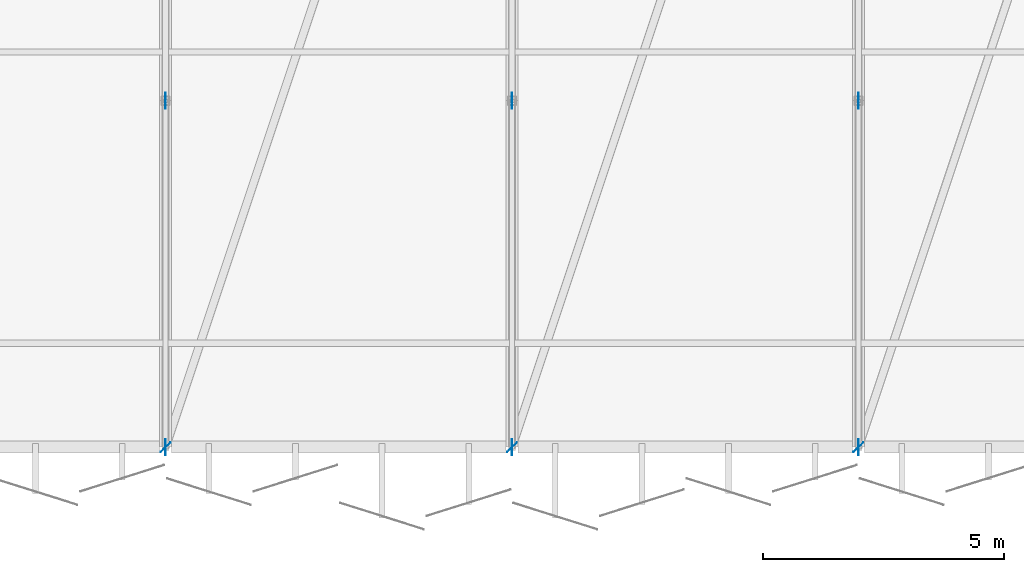
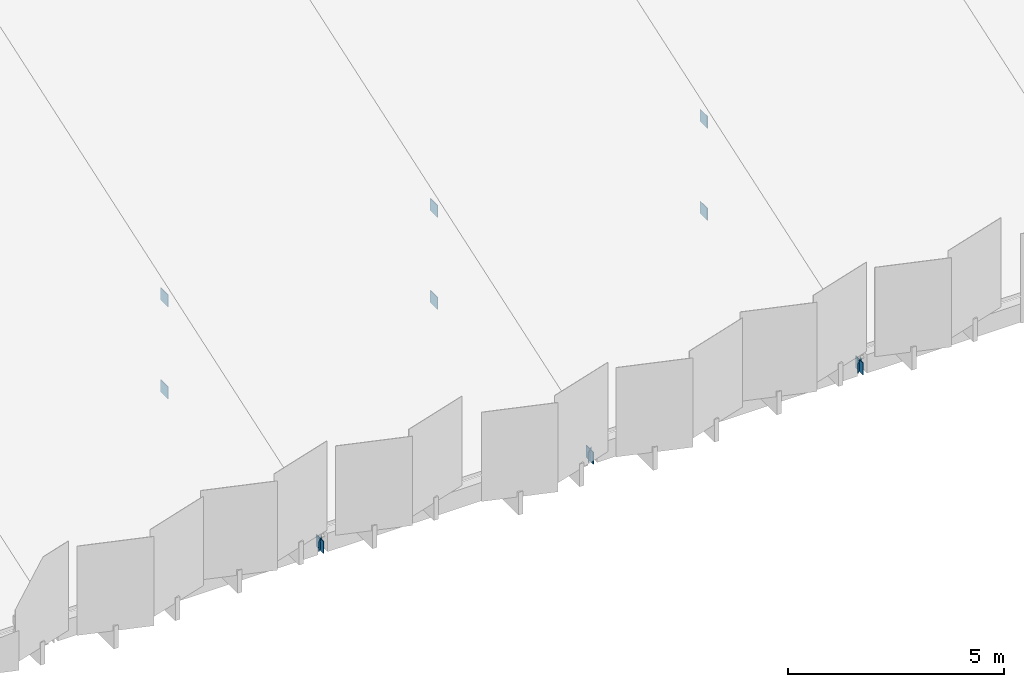
# One storey, part 33 of 59: 12 plates.
"""IFC4 building model written with IfcOpenShell, lengths in metres."""

from ifc_helpers import new_model, si_unit, direction, frame, origin, origin_2d, place, context, subcontext, project, spatial, rectangle, extrude, material, layer, layer_set, type_object, element, save


model = new_model("IFC4")

# Units and contexts
model_context = context("Model", 3, precision=1e-05, world=origin(), true_north=direction((0.0, 1.0)))
body_context = subcontext(model_context, "Body", "Model", "MODEL_VIEW")
ifc_project = project(units=[si_unit("LENGTHUNIT", "METRE"), si_unit("AREAUNIT", "SQUARE_METRE"), si_unit("VOLUMEUNIT", "CUBIC_METRE"), si_unit("PLANEANGLEUNIT", "RADIAN"), si_unit("MASSUNIT", "GRAM", prefix="KILO")], contexts=[model_context])

# Site, building, storey
site_placement = place(None, origin())
site = spatial("IfcSite", under=ifc_project, at=site_placement, CompositionType="ELEMENT")
building_placement = place(site_placement, origin())
building = spatial("IfcBuilding", under=site, at=building_placement, Name="Kangsadwip Square Police Headquarters", CompositionType="ELEMENT")
storey_placement = place(building_placement, frame((0.0, 0.0, 21.60009765625)))
storey = spatial("IfcBuildingStorey", under=building, at=storey_placement, Name="L05", CompositionType="ELEMENT", Elevation=21.60009765625)

# Plates
ifc_material_1 = material(Name="Structural steel IS 2062 E350 (Grade 350, 350 MPa)", Category="steel")
ifc_layer_1 = layer(ifc_material_1, 0.011962890625)
ifc_layer_set_1 = layer_set([ifc_layer_1], Name="Structural steel IS 2062 E350 (Grade 350, 350 MPa)")
plate_type_1 = type_object("IfcPlateType", Name="TrussEndCapPlate12", PredefinedType="USERDEFINED", material=ifc_layer_set_1)
for number, where, z_axis, x_axis, name in (
    (1, (108.0, 93.60009765625, -0.68994140625), (0.0, 0.0, 1.0), (0.707106781187, 0.707106781187, 0.0), "Truss Node Gusset Plate GP-L05-0106"),
    (2, (115.199951171875, 93.60009765625, -0.68994140625), (0.0, 0.0, 1.0), (0.707106781187, 0.707106781187, 0.0), "Truss Node Gusset Plate GP-L05-0108"),
    (3, (122.39990234375, 93.60009765625, -0.68994140625), (0.0, 0.0, 1.0), (0.707106781187, 0.707106781187, 0.0), "Truss Node Gusset Plate GP-L05-0110"),
):
    element("IfcPlate", number, at=place(storey_placement, frame(where, z_axis=z_axis, x_axis=x_axis)), inside=storey, type_object=plate_type_1, Name=name, ObjectType="GUSSET_PLATE", PredefinedType="USERDEFINED", context=body_context, shape_type="SweptSolid", body=[
        extrude(rectangle(XDim=0.280029296875, YDim=0.011962890625, at=origin_2d()), origin(), (0.0, 0.0, 1.0), 0.280029296875),
    ])
ifc_material_2 = material(Name="Structural steel IS 2062 E350 (Grade 350, 350 MPa)", Category="steel")
ifc_layer_2 = layer(ifc_material_2, 0.01611328125)
ifc_layer_set_2 = layer_set([ifc_layer_2], Name="Structural steel IS 2062 E350 (Grade 350, 350 MPa)")
plate_type_2 = type_object("IfcPlateType", Name="TrussGussetPlate16", PredefinedType="USERDEFINED", material=ifc_layer_set_2)
for number, where, z_axis, x_axis, name in (
    (4, (108.0, 100.800048828125, -0.72021484375), (0.0, 0.0, 1.0), (0.0, 1.0, 0.0), "Truss Node Gusset Plate GP-L05-0066"),
    (5, (108.0, 100.800048828125, 1.87646484375), (0.0, 0.0, 1.0), (0.0, 1.0, 0.0), "Truss Node Gusset Plate GP-L05-0067"),
    (6, (108.0, 93.60009765625, -0.72021484375), (0.0, 0.0, 1.0), (0.0, 1.0, 0.0), "Truss Node Gusset Plate GP-L05-0072"),
    (7, (115.199951171875, 100.800048828125, -0.72021484375), (0.0, 0.0, 1.0), (0.0, 1.0, 0.0), "Truss Node Gusset Plate GP-L05-0073"),
    (8, (115.199951171875, 100.800048828125, 1.87646484375), (0.0, 0.0, 1.0), (0.0, 1.0, 0.0), "Truss Node Gusset Plate GP-L05-0074"),
    (9, (115.199951171875, 93.60009765625, -0.72021484375), (0.0, 0.0, 1.0), (0.0, 1.0, 0.0), "Truss Node Gusset Plate GP-L05-0079"),
    (10, (122.39990234375, 100.800048828125, -0.72021484375), (0.0, 0.0, 1.0), (0.0, 1.0, 0.0), "Truss Node Gusset Plate GP-L05-0080"),
    (11, (122.39990234375, 100.800048828125, 1.87646484375), (0.0, 0.0, 1.0), (0.0, 1.0, 0.0), "Truss Node Gusset Plate GP-L05-0081"),
    (12, (122.39990234375, 93.60009765625, -0.72021484375), (0.0, 0.0, 1.0), (0.0, 1.0, 0.0), "Truss Node Gusset Plate GP-L05-0086"),
):
    element("IfcPlate", number, at=place(storey_placement, frame(where, z_axis=z_axis, x_axis=x_axis)), inside=storey, type_object=plate_type_2, Name=name, ObjectType="GUSSET_PLATE", PredefinedType="USERDEFINED", context=body_context, shape_type="SweptSolid", body=[
        extrude(rectangle(XDim=0.340087890625, YDim=0.01611328125, at=origin_2d()), origin(), (0.0, 0.0, 1.0), 0.340087890625),
    ])

save(model, "model.ifc")
